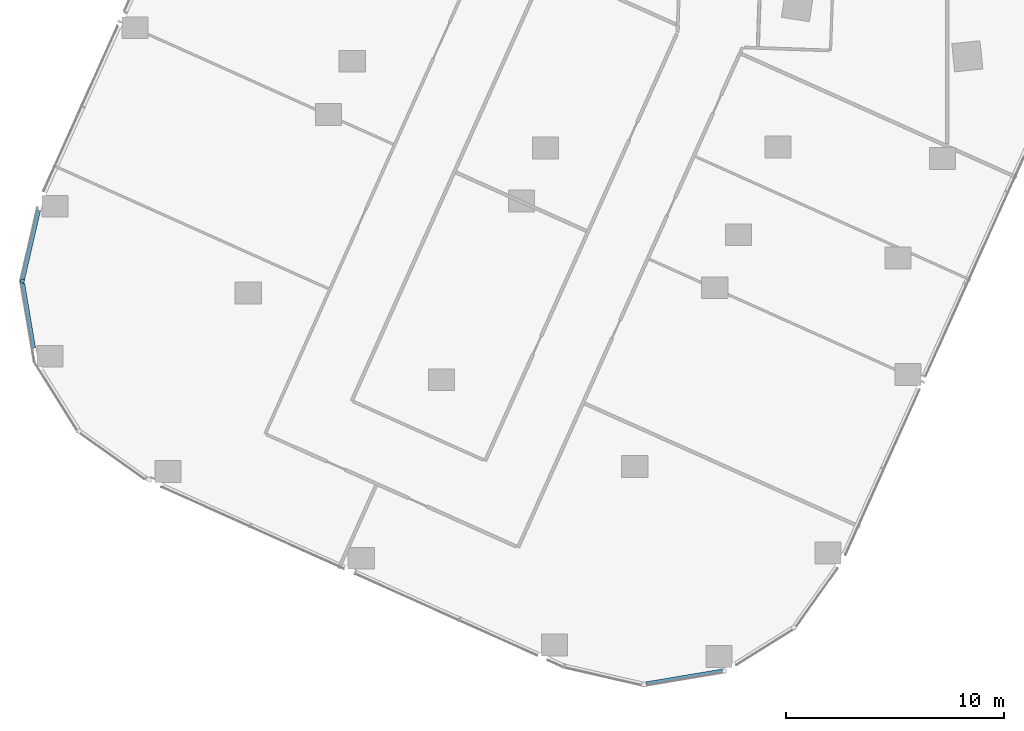
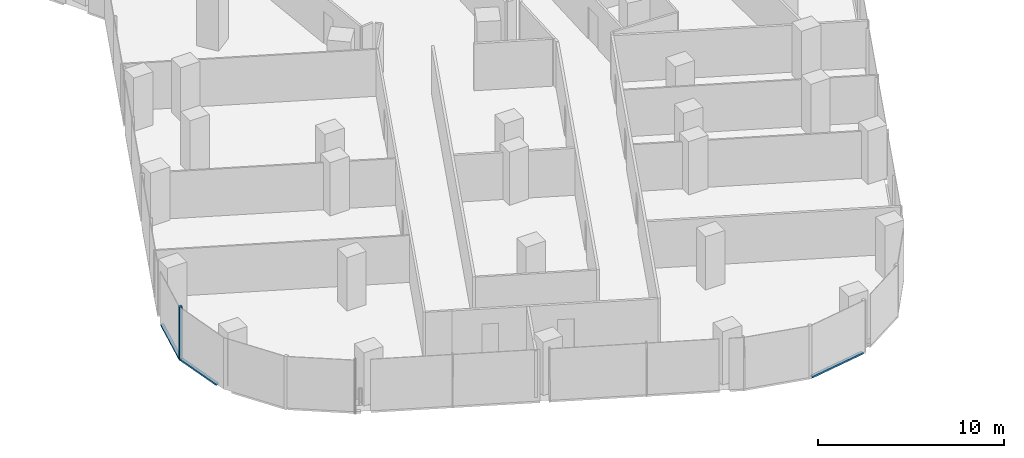
# One storey, part 3 of 34: 4 members, 3 elements without a shape of their own.
"""IFC4 building model written with IfcOpenShell, lengths in metres."""

from ifc_helpers import new_model, si_unit, direction, frame, origin, origin_2d, place, context, subcontext, project, spatial, rectangle, extrude, material, material_profile, profile_set, type_object, element, aggregate, save


model = new_model("IFC4")

# Units and contexts
model_context = context("Model", 3, precision=1e-05, world=origin(), true_north=direction((0.0, 1.0)))
body_context = subcontext(model_context, "Body", "Model", "MODEL_VIEW")
ifc_project = project(units=[si_unit("LENGTHUNIT", "METRE"), si_unit("AREAUNIT", "SQUARE_METRE"), si_unit("VOLUMEUNIT", "CUBIC_METRE"), si_unit("PLANEANGLEUNIT", "RADIAN"), si_unit("MASSUNIT", "GRAM", prefix="KILO")], contexts=[model_context])

# Site, building, storey
site_placement = place(None, origin())
site = spatial("IfcSite", under=ifc_project, at=site_placement, CompositionType="ELEMENT")
building_placement = place(site_placement, origin())
building = spatial("IfcBuilding", under=site, at=building_placement, Name="Orlundy Tower", CompositionType="ELEMENT")
storey_placement = place(building_placement, frame((0.0, 0.0, 130.699951171875)))
storey = spatial("IfcBuildingStorey", under=building, at=storey_placement, Name="L33", CompositionType="ELEMENT", Elevation=130.699951171875)

# Curtain wall, member
ifc_material_1 = material(Name="Aluminium bronze anodised", Category="aluminium")
curtain_wall_type = type_object("IfcCurtainWallType", Name="CW1 wall", PredefinedType="NOTDEFINED", material=ifc_material_1)
curtain_wall_1_placement = place(storey_placement, origin())
curtain_wall_1 = element("IfcCurtainWall", 1, at=curtain_wall_1_placement, inside=storey, type_object=curtain_wall_type, Name="CW1 run 027", PredefinedType="NOTDEFINED")
ifc_material_2 = material(Name="Aluminium bronze anodised", Category="aluminium")
ifc_material_profile_1 = material_profile(ifc_material_2, rectangle(XDim=0.179931640625, YDim=0.179931640625, at=origin_2d()), Name="CW1 corner post 180x180")
ifc_profile_set_1 = profile_set([ifc_material_profile_1], Name="Aluminium bronze anodised")
member_type_1 = type_object("IfcMemberType", Name="CW1 corner post 180x180", PredefinedType="MULLION", material=ifc_profile_set_1)
member_1_placement = place(storey_placement, frame((-40.046630859375, -41.952392578125, -0.39990234375), z_axis=(0.0, 0.0, 1.0), x_axis=(-0.974672322571, 0.223637795584, 0.0)))
member_1 = element("IfcMember", 2, at=member_1_placement, type_object=member_type_1, Name="CW1 mullion 68", PredefinedType="MULLION", context=body_context, shape_type="SweptSolid", body=[
    extrude(rectangle(XDim=0.179931640625, YDim=0.179931640625, at=origin_2d()), origin(), (0.0, 0.0, 1.0), 3.5),
])

curtain_wall_2_placement = place(storey_placement, origin())
curtain_wall_2 = element("IfcCurtainWall", 3, at=curtain_wall_2_placement, inside=storey, type_object=curtain_wall_type, Name="CW1 run 021", PredefinedType="NOTDEFINED")
ifc_material_3 = material(Name="Aluminium bronze anodised", Category="aluminium")
ifc_material_profile_2 = material_profile(ifc_material_3, rectangle(XDim=0.179931640625, YDim=0.1201171875, at=origin_2d()), Name="CW1 transom 180x120")
ifc_profile_set_2 = profile_set([ifc_material_profile_2], Name="Aluminium bronze anodised")
member_type_2 = type_object("IfcMemberType", Name="CW1 transom 180x120", PredefinedType="USERDEFINED", material=ifc_profile_set_2)
member_2_placement = place(storey_placement, frame((-7.97705078125, -59.808837890625, -0.33984375), z_axis=(-0.986059686248, -0.166391992463, 0.0), x_axis=(0.166391992463, -0.986059686248, 0.0)))
member_2 = element("IfcMember", 4, at=member_2_placement, type_object=member_type_2, Name="CW1 transom", ObjectType="TRANSOM", PredefinedType="USERDEFINED", context=body_context, shape_type="SweptSolid", body=[
    extrude(rectangle(XDim=0.179931640625, YDim=0.1201171875, at=origin_2d()), origin(), (0.0, 0.0, 1.0), 3.55517578125),
])
aggregate(curtain_wall_2, [member_2])

curtain_wall_3_placement = place(storey_placement, origin())
curtain_wall_3 = element("IfcCurtainWall", 5, at=curtain_wall_3_placement, inside=storey, type_object=curtain_wall_type, Name="CW1 run 026", PredefinedType="NOTDEFINED")
member_3_placement = place(storey_placement, frame((-39.527099609375, -45.031005859375, -0.33984375), z_axis=(-0.166427336794, 0.986053721441, 0.0), x_axis=(-0.986053721441, -0.166427336794, 0.0)))
member_3 = element("IfcMember", 6, at=member_3_placement, type_object=member_type_2, Name="CW1 transom", ObjectType="TRANSOM", PredefinedType="USERDEFINED", context=body_context, shape_type="SweptSolid", body=[
    extrude(rectangle(XDim=0.179931640625, YDim=0.1201171875, at=origin_2d()), origin(), (0.0, 0.0, 1.0), 3.02490234375),
])
aggregate(curtain_wall_3, [member_3])

# Member
member_4_placement = place(storey_placement, frame((-40.026611328125, -41.864501953125, -0.33984375), z_axis=(0.223633818771, 0.974673235039, 0.0), x_axis=(-0.974673235039, 0.223633818771, 0.0)))
member_4 = element("IfcMember", 7, at=member_4_placement, type_object=member_type_2, Name="CW1 transom", ObjectType="TRANSOM", PredefinedType="USERDEFINED", context=body_context, shape_type="SweptSolid", body=[
    extrude(rectangle(XDim=0.179931640625, YDim=0.1201171875, at=origin_2d()), origin(), (0.0, 0.0, 1.0), 3.24462890625),
])

aggregate(curtain_wall_1, [member_1, member_4])

save(model, "model.ifc")
